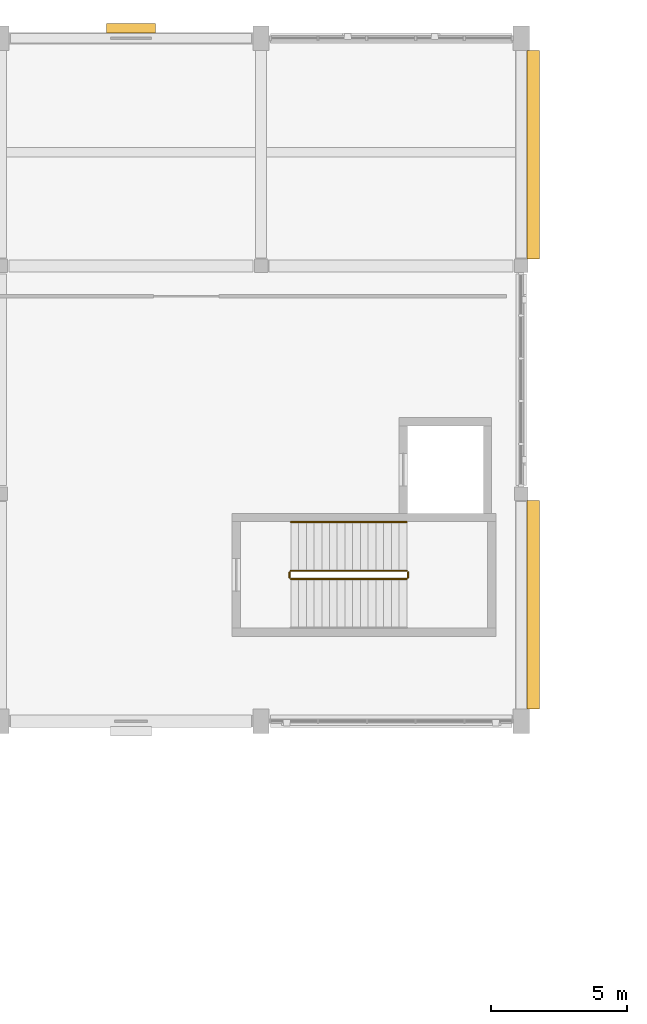
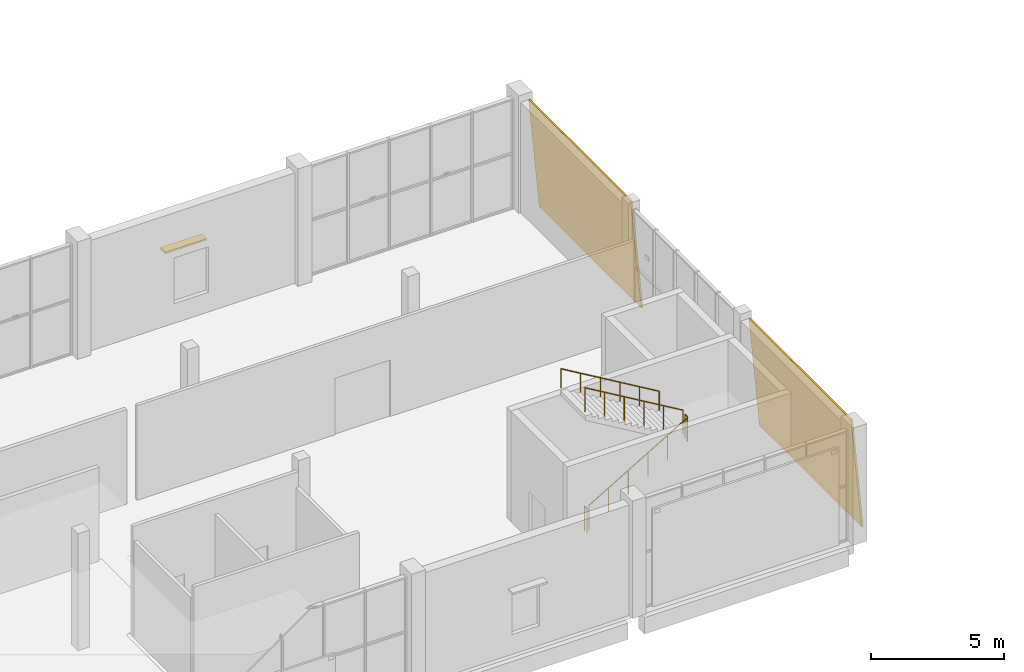
# One storey, part 78 of 83: 5 railings, 2 coverings, 1 shading device.
"""IFC4 building model written with IfcOpenShell, lengths in metres."""

from ifc_helpers import new_model, si_unit, direction, frame, origin, origin_2d, place, context, subcontext, project, spatial, polyline, rectangle, circle, outline, extrude, material, layer, layer_set, type_object, element, save


model = new_model("IFC4")

# Units and contexts
model_context = context("Model", 3, precision=1e-05, world=origin(), true_north=direction((0.0, 1.0)))
body_context = subcontext(model_context, "Body", "Model", "MODEL_VIEW")
ifc_project = project(units=[si_unit("LENGTHUNIT", "METRE"), si_unit("AREAUNIT", "SQUARE_METRE"), si_unit("VOLUMEUNIT", "CUBIC_METRE"), si_unit("PLANEANGLEUNIT", "RADIAN"), si_unit("MASSUNIT", "GRAM", prefix="KILO")], contexts=[model_context])

# Site, building, storey
site_placement = place(None, origin())
site = spatial("IfcSite", under=ifc_project, at=site_placement, CompositionType="ELEMENT")
building_placement = place(site_placement, origin())
building = spatial("IfcBuilding", under=site, at=building_placement, Name="Shalvenor Court Art Gallery", CompositionType="ELEMENT")
storey_placement = place(building_placement, frame((0.0, 0.0, 6.0)))
storey = spatial("IfcBuildingStorey", under=building, at=storey_placement, Name="L01", CompositionType="ELEMENT", Elevation=6.0)

# Coverings
ifc_material_1 = material(Name="Pale Mediterranean limestone cladding", Category="masonry")
ifc_layer = layer(ifc_material_1, 0.080078125, Name="Pale Mediterranean limestone cladding")
ifc_layer_set = layer_set([ifc_layer], Name="Pale Mediterranean limestone cladding")
covering_type = type_object("IfcCoveringType", Name="CLD-01", PredefinedType="CLADDING", material=ifc_layer_set)
covering_1_placement = place(storey_placement, frame((125.472412109375, 114.25, 0.0), z_axis=(0.0, 0.0, 1.0), x_axis=(0.0, 1.0, 0.0)))
element("IfcCovering", 1, at=covering_1_placement, inside=storey, type_object=covering_type, Name="L01 V2 Tapered Limestone Cladding 32", PredefinedType="CLADDING", context=body_context, shape_type="SweptSolid", body=[
    extrude(outline(polyline([(0.0, 0.0), (7.699951171875, 0.0), (7.699951171875, 5.10107421875), (0.0, 5.10107421875), (0.0, 0.0)])), frame((0.0, 0.0, 0.0), z_axis=(0.0, -0.995884398616, 0.090632580198), x_axis=(1.0, 0.0, 0.0)), (0.0, 0.090632580198, -0.995884398616), 0.080322265625),
])
covering_2_placement = place(storey_placement, frame((125.472412109375, 97.64990234375, 0.0), z_axis=(0.0, 0.0, 1.0), x_axis=(0.0, 1.0, 0.0)))
element("IfcCovering", 2, at=covering_2_placement, inside=storey, type_object=covering_type, Name="L01 V2 Tapered Limestone Cladding 33", PredefinedType="CLADDING", context=body_context, shape_type="SweptSolid", body=[
    extrude(outline(polyline([(0.0, 0.0), (7.7001953125, 0.0), (7.7001953125, 5.10107421875), (0.0, 5.10107421875), (0.0, 0.0)])), frame((0.0, 0.0, 0.0), z_axis=(0.0, -0.995884398616, 0.090632580198), x_axis=(1.0, 0.0, 0.0)), (0.0, 0.090632580198, -0.995884398616), 0.080322265625),
])

# Railings
ifc_material_2 = material(Name="Painted steel post-and-rail guard", Category="steel")
railing_type_1 = type_object("IfcRailingType", Name="GR-02", PredefinedType="GUARDRAIL", material=ifc_material_2)
railing_1_placement = place(storey_placement, frame((116.300048828125, 102.449951171875, 0.168701171875)))
element("IfcRailing", 3, at=railing_1_placement, inside=storey, type_object=railing_type_1, Name="L01 ST-05 Stair Guard 1", PredefinedType="GUARDRAIL", context=body_context, shape_type="SweptSolid", body=[
    extrude(circle(Radius=0.02392578125, at=origin_2d()), frame((0.0, 0.0, 1.09619140625), z_axis=(0.860470286479, 0.0, 0.509500624227), x_axis=(0.0, 1.0, 0.0)), (0.0, 0.0, 1.0), 4.968017578125),
    extrude(circle(Radius=0.02099609375, at=origin_2d()), origin(), (0.0, 0.0, 1.0), 1.072021484375),
    extrude(circle(Radius=0.02099609375, at=origin_2d()), frame((0.85498046875, 0.0, 0.50634765625)), (0.0, 0.0, 1.0), 1.072021484375),
    extrude(circle(Radius=0.02099609375, at=origin_2d()), frame((1.7099609375, 0.0, 1.012451171875)), (0.0, 0.0, 1.0), 1.072021484375),
    extrude(circle(Radius=0.02099609375, at=origin_2d()), frame((2.56494140625, 0.0, 1.518798828125)), (0.0, 0.0, 1.0), 1.072021484375),
    extrude(circle(Radius=0.02099609375, at=origin_2d()), frame((3.419921875, 0.0, 2.02490234375)), (0.0, 0.0, 1.0), 1.072021484375),
    extrude(circle(Radius=0.02099609375, at=origin_2d()), frame((4.27490234375, 0.0, 2.53125)), (0.0, 0.0, 1.0), 1.072021484375),
])
railing_2_placement = place(storey_placement, frame((120.625, 102.5, 2.699951171875)))
element("IfcRailing", 4, at=railing_2_placement, inside=storey, type_object=railing_type_1, Name="L01 ST-05 Stair Guard 2", PredefinedType="GUARDRAIL", context=body_context, shape_type="SweptSolid", body=[
    extrude(circle(Radius=0.02392578125, at=origin_2d()), frame((0.0, 0.0, 1.09619140625), z_axis=(0.0, 1.0, 0.0), x_axis=(-1.0, 0.0, 0.0)), (0.0, 0.0, 1.0), 0.199951171875),
    extrude(circle(Radius=0.02099609375, at=origin_2d()), origin(), (0.0, 0.0, 1.0), 1.072021484375),
    extrude(circle(Radius=0.02099609375, at=origin_2d()), frame((0.0, 0.199951171875, 0.0)), (0.0, 0.0, 1.0), 1.072021484375),
])
railing_3_placement = place(storey_placement, frame((120.574951171875, 102.75, 2.86865234375)))
element("IfcRailing", 5, at=railing_3_placement, inside=storey, type_object=railing_type_1, Name="L01 ST-05 Stair Guard 3", PredefinedType="GUARDRAIL", context=body_context, shape_type="SweptSolid", body=[
    extrude(circle(Radius=0.02392578125, at=origin_2d()), frame((0.0, 0.0, 1.09619140625), z_axis=(-0.860470286479, 0.0, 0.509500624227), x_axis=(0.0, -1.0, 0.0)), (0.0, 0.0, 1.0), 4.968017578125),
    extrude(circle(Radius=0.02099609375, at=origin_2d()), origin(), (0.0, 0.0, 1.0), 1.072021484375),
    extrude(circle(Radius=0.02099609375, at=origin_2d()), frame((-0.85498046875, 0.0, 0.50634765625)), (0.0, 0.0, 1.0), 1.072021484375),
    extrude(circle(Radius=0.02099609375, at=origin_2d()), frame((-1.7099609375, 0.0, 1.012451171875)), (0.0, 0.0, 1.0), 1.072021484375),
    extrude(circle(Radius=0.02099609375, at=origin_2d()), frame((-2.56494140625, 0.0, 1.518798828125)), (0.0, 0.0, 1.0), 1.072021484375),
    extrude(circle(Radius=0.02099609375, at=origin_2d()), frame((-3.419921875, 0.0, 2.02490234375)), (0.0, 0.0, 1.0), 1.072021484375),
    extrude(circle(Radius=0.02099609375, at=origin_2d()), frame((-4.27490234375, 0.0, 2.53125)), (0.0, 0.0, 1.0), 1.072021484375),
])
railing_4_placement = place(storey_placement, frame((116.25, 102.5, 0.0)))
element("IfcRailing", 6, at=railing_4_placement, inside=storey, type_object=railing_type_1, Name="L01 ST-05 Stair Guard 4", PredefinedType="GUARDRAIL", context=body_context, shape_type="SweptSolid", body=[
    extrude(circle(Radius=0.02392578125, at=origin_2d()), frame((0.0, 0.0, 1.09619140625), z_axis=(0.0, 1.0, 0.0), x_axis=(-1.0, 0.0, 0.0)), (0.0, 0.0, 1.0), 0.199951171875),
    extrude(circle(Radius=0.02099609375, at=origin_2d()), origin(), (0.0, 0.0, 1.0), 1.072021484375),
    extrude(circle(Radius=0.02099609375, at=origin_2d()), frame((0.0, 0.199951171875, 0.0)), (0.0, 0.0, 1.0), 1.072021484375),
])
ifc_material_3 = material(Name="Brushed stainless steel handrail", Category="steel")
railing_type_2 = type_object("IfcRailingType", Name="HR-01", PredefinedType="HANDRAIL", material=ifc_material_3)
railing_5_placement = place(storey_placement, frame((120.574951171875, 104.550048828125, 2.86865234375)))
element("IfcRailing", 7, at=railing_5_placement, inside=storey, type_object=railing_type_2, Name="L01 ST-05 Stair Handrail 2", PredefinedType="HANDRAIL", context=body_context, shape_type="SweptSolid", body=[
    extrude(circle(Radius=0.02392578125, at=origin_2d()), frame((0.0, 0.0, 0.8759765625), z_axis=(-0.860470286479, 0.0, 0.509500624227), x_axis=(0.0, -1.0, 0.0)), (0.0, 0.0, 1.0), 4.968017578125),
    extrude(circle(Radius=0.02099609375, at=origin_2d()), origin(), (0.0, 0.0, 1.0), 0.851806640625),
    extrude(circle(Radius=0.02099609375, at=origin_2d()), frame((-0.85498046875, 0.0, 0.50634765625)), (0.0, 0.0, 1.0), 0.851806640625),
    extrude(circle(Radius=0.02099609375, at=origin_2d()), frame((-1.7099609375, 0.0, 1.012451171875)), (0.0, 0.0, 1.0), 0.851806640625),
    extrude(circle(Radius=0.02099609375, at=origin_2d()), frame((-2.56494140625, 0.0, 1.518798828125)), (0.0, 0.0, 1.0), 0.851806640625),
    extrude(circle(Radius=0.02099609375, at=origin_2d()), frame((-3.419921875, 0.0, 2.02490234375)), (0.0, 0.0, 1.0), 0.851806640625),
    extrude(circle(Radius=0.02099609375, at=origin_2d()), frame((-4.27490234375, 0.0, 2.53125)), (0.0, 0.0, 1.0), 0.851806640625),
])

# Shading device
ifc_material_4 = material(Name="Dark anodised bronze aluminium louvre", Category="aluminium")
shading_device_type = type_object("IfcShadingDeviceType", Name="SHD-01", PredefinedType="JALOUSIE", material=ifc_material_4)
shading_device_placement = place(storey_placement, frame((110.39990234375, 122.77001953125, 3.0), z_axis=(0.0, 0.0, 1.0), x_axis=(1.0, 0.0, 0.0)))
element("IfcShadingDevice", 8, at=shading_device_placement, inside=storey, type_object=shading_device_type, Name="L01 Koushi Window Sunshade 29", PredefinedType="JALOUSIE", context=body_context, shape_type="SweptSolid", body=[
    extrude(rectangle(XDim=1.800048828125, YDim=0.360107421875, at=origin_2d()), origin(), (0.0, 0.0, 1.0), 0.080078125),
])

save(model, "model.ifc")
